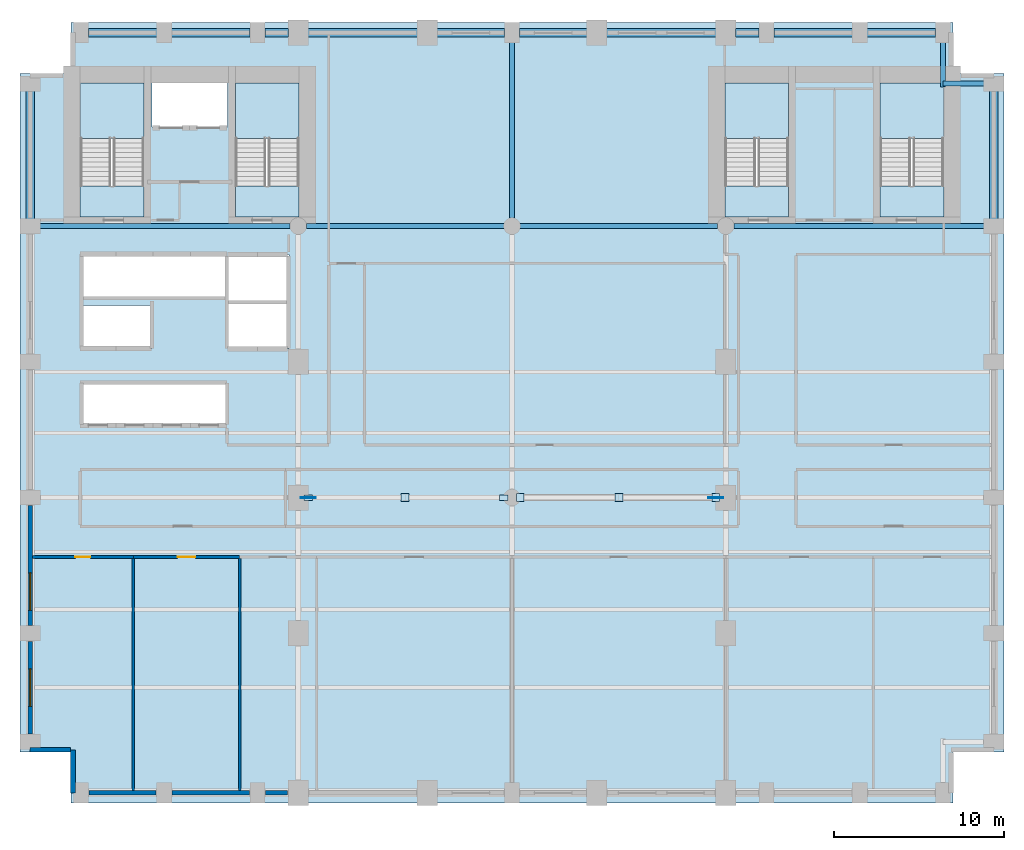
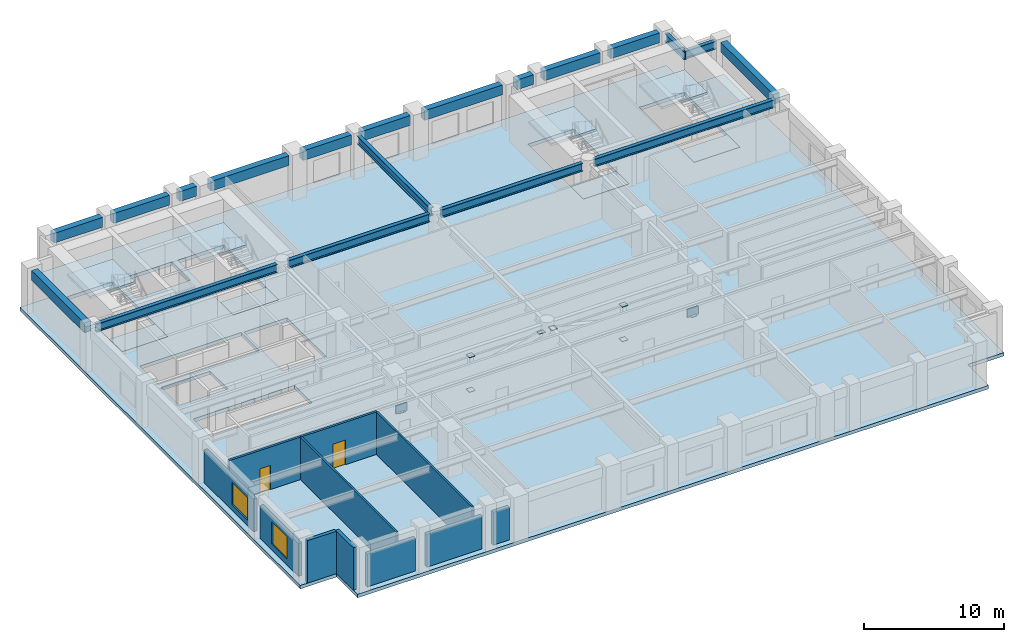
# One storey, part 4 of 10: 19 beams, 11 walls, 10 plates, 9 slabs, 2 doors, 2 windows, 4 openings, 4 elements without a shape of their own.
"""IFC4 building model written with IfcOpenShell, lengths in metres."""

from ifc_helpers import new_model, si_unit, direction, frame, frame_2d, origin, origin_2d, place, context, subcontext, project, spatial, polyline, rectangle, i_section, outline, extrude, material, layer, layer_set, material_profile, profile_set, type_object, element, fill, aggregate, save


model = new_model("IFC4")

# Units and contexts
model_context = context("Model", 3, precision=1e-05, world=origin(), true_north=direction((0.0, 1.0)))
body_context = subcontext(model_context, "Body", "Model", "MODEL_VIEW")
ifc_project = project(units=[si_unit("LENGTHUNIT", "METRE"), si_unit("AREAUNIT", "SQUARE_METRE"), si_unit("VOLUMEUNIT", "CUBIC_METRE"), si_unit("PLANEANGLEUNIT", "RADIAN"), si_unit("MASSUNIT", "GRAM", prefix="KILO")], contexts=[model_context])

# Site, building, storey
site_placement = place(None, origin())
site = spatial("IfcSite", under=ifc_project, at=site_placement, CompositionType="ELEMENT")
building_placement = place(site_placement, origin())
building = spatial("IfcBuilding", under=site, at=building_placement, Name="Sulina Concourse Tower", CompositionType="ELEMENT")
storey_placement = place(building_placement, frame((0.0, 0.0, 50.60009765625)))
storey = spatial("IfcBuildingStorey", under=building, at=storey_placement, Name="L12", CompositionType="ELEMENT", Elevation=50.60009765625)

# Beams
ifc_material_1 = material(Name="Steel S355", Category="steel")
ifc_material_profile_1 = material_profile(ifc_material_1, i_section(OverallWidth=0.300048828125, OverallDepth=0.699951171875, WebThickness=0.01708984375, FlangeThickness=0.031982421875, at=origin_2d()), Name="HE 700 B")
ifc_profile_set_1 = profile_set([ifc_material_profile_1], Name="Steel S355")
beam_type_1 = type_object("IfcBeamType", Name="Floor Primary Girder Zone 1 HE700B", PredefinedType="BEAM", material=ifc_profile_set_1)
beam_1_placement = place(storey_placement, frame((54.39990234375, 42.39990234375, 3.349853515625), z_axis=(1.0, 0.0, 0.0), x_axis=(0.0, 1.0, 0.0)))
element("IfcBeam", 1, at=beam_1_placement, inside=storey, type_object=beam_type_1, Name="TIE-NE-L12", PredefinedType="BEAM", context=body_context, shape_type="SweptSolid", body=[
    extrude(i_section(OverallWidth=0.300048828125, OverallDepth=0.699951171875, WebThickness=0.01708984375, FlangeThickness=0.031982421875, at=origin_2d()), origin(), (0.0, 0.0, 1.0), 2.570068359375),
])
beam_2_placement = place(storey_placement, frame((54.39990234375, 42.199951171875, 3.349853515625), z_axis=(0.0, 1.0, 0.0), x_axis=(-1.0, 0.0, 0.0)))
element("IfcBeam", 2, at=beam_2_placement, inside=storey, type_object=beam_type_1, Name="TIE-NEN-L12", PredefinedType="BEAM", context=body_context, shape_type="SweptSolid", body=[
    extrude(i_section(OverallWidth=0.300048828125, OverallDepth=0.699951171875, WebThickness=0.01708984375, FlangeThickness=0.031982421875, at=origin_2d()), origin(), (0.0, 0.0, 1.0), 2.77001953125),
])
beam_3_placement = place(storey_placement, frame((1.030029296875, 34.0, 3.349853515625), z_axis=(1.0, 0.0, 0.0), x_axis=(0.0, 1.0, 0.0)))
element("IfcBeam", 3, at=beam_3_placement, inside=storey, type_object=beam_type_1, Name="FG-EWN1-L12", PredefinedType="BEAM", context=body_context, shape_type="SweptSolid", body=[
    extrude(i_section(OverallWidth=0.300048828125, OverallDepth=0.699951171875, WebThickness=0.01708984375, FlangeThickness=0.031982421875, at=origin_2d()), origin(), (0.0, 0.0, 1.0), 14.889892578125),
])
for number, where, z_axis, x_axis, name in (
    (4, (16.8798828125, 34.0, 3.349853515625), (1.0, 0.0, 0.0), (0.0, 1.0, 0.0), "FG-EWN2-L12"),
    (5, (29.47998046875, 34.0, 3.349853515625), (1.0, 0.0, 0.0), (0.0, 1.0, 0.0), "FG-EWN3-L12"),
):
    element("IfcBeam", number, at=place(storey_placement, frame(where, z_axis=z_axis, x_axis=x_axis)), inside=storey, type_object=beam_type_1, Name=name, PredefinedType="BEAM", context=body_context, shape_type="SweptSolid", body=[
        extrude(i_section(OverallWidth=0.300048828125, OverallDepth=0.699951171875, WebThickness=0.01708984375, FlangeThickness=0.031982421875, at=origin_2d()), origin(), (0.0, 0.0, 1.0), 11.64013671875),
    ])
beam_4_placement = place(storey_placement, frame((42.080078125, 34.0, 3.349853515625), z_axis=(1.0, 0.0, 0.0), x_axis=(0.0, 1.0, 0.0)))
element("IfcBeam", 6, at=beam_4_placement, inside=storey, type_object=beam_type_1, Name="FG-EWN4-L12", PredefinedType="BEAM", context=body_context, shape_type="SweptSolid", body=[
    extrude(i_section(OverallWidth=0.300048828125, OverallDepth=0.699951171875, WebThickness=0.01708984375, FlangeThickness=0.031982421875, at=origin_2d()), origin(), (0.0, 0.0, 1.0), 14.889892578125),
])
beam_5_placement = place(storey_placement, frame((29.0, 34.47998046875, 3.349853515625), z_axis=(0.0, 1.0, 0.0), x_axis=(-1.0, 0.0, 0.0)))
element("IfcBeam", 7, at=beam_5_placement, inside=storey, type_object=beam_type_1, Name="FG-NSC-29-L12", PredefinedType="BEAM", context=body_context, shape_type="SweptSolid", body=[
    extrude(i_section(OverallWidth=0.300048828125, OverallDepth=0.699951171875, WebThickness=0.01708984375, FlangeThickness=0.031982421875, at=origin_2d()), origin(), (0.0, 0.0, 1.0), 10.489990234375),
])
ifc_material_2 = material(Name="Precast concrete C50/60", Category="concrete")
ifc_material_profile_2 = material_profile(ifc_material_2, rectangle(XDim=0.5, YDim=0.85009765625, at=origin_2d()), Name="RC 500x850")
ifc_profile_set_2 = profile_set([ifc_material_profile_2], Name="Precast concrete C50/60")
beam_type_2 = type_object("IfcBeamType", Name="Lower Precast Spandrel Edge Beam 500x850", PredefinedType="BEAM", material=ifc_profile_set_2)
beam_6_placement = place(storey_placement, frame((4.030029296875, 45.39990234375, 3.27490234375), z_axis=(1.0, 0.0, 0.0), x_axis=(0.0, 1.0, 0.0)))
element("IfcBeam", 8, at=beam_6_placement, inside=storey, type_object=beam_type_2, Name="SP-N1-L12", PredefinedType="BEAM", context=body_context, shape_type="SweptSolid", body=[
    extrude(rectangle(XDim=0.5, YDim=0.85009765625, at=origin_2d()), origin(), (0.0, 0.0, 1.0), 4.0400390625),
])
beam_7_placement = place(storey_placement, frame((8.929931640625, 45.39990234375, 3.27490234375), z_axis=(1.0, 0.0, 0.0), x_axis=(0.0, 1.0, 0.0)))
element("IfcBeam", 9, at=beam_7_placement, inside=storey, type_object=beam_type_2, Name="SP-N2-L12", PredefinedType="BEAM", context=body_context, shape_type="SweptSolid", body=[
    extrude(rectangle(XDim=0.5, YDim=0.85009765625, at=origin_2d()), origin(), (0.0, 0.0, 1.0), 4.64013671875),
])
beam_8_placement = place(storey_placement, frame((14.429931640625, 45.39990234375, 3.27490234375), z_axis=(1.0, 0.0, 0.0), x_axis=(0.0, 1.0, 0.0)))
element("IfcBeam", 10, at=beam_8_placement, inside=storey, type_object=beam_type_2, Name="SP-N3-L12", PredefinedType="BEAM", context=body_context, shape_type="SweptSolid", body=[
    extrude(rectangle(XDim=0.5, YDim=0.85009765625, at=origin_2d()), origin(), (0.0, 0.0, 1.0), 1.39013671875),
])
beam_9_placement = place(storey_placement, frame((16.97998046875, 45.39990234375, 3.27490234375), z_axis=(1.0, 0.0, 0.0), x_axis=(0.0, 1.0, 0.0)))
element("IfcBeam", 11, at=beam_9_placement, inside=storey, type_object=beam_type_2, Name="SP-N4-L12", PredefinedType="BEAM", context=body_context, shape_type="SweptSolid", body=[
    extrude(rectangle(XDim=0.5, YDim=0.85009765625, at=origin_2d()), origin(), (0.0, 0.0, 1.0), 6.43994140625),
])
for number, where, z_axis, x_axis, name in (
    (12, (24.580078125, 45.39990234375, 3.27490234375), (1.0, 0.0, 0.0), (0.0, 1.0, 0.0), "SP-N5-L12"),
    (13, (29.429931640625, 45.39990234375, 3.27490234375), (1.0, 0.0, 0.0), (0.0, 1.0, 0.0), "SP-N6-L12"),
):
    element("IfcBeam", number, at=place(storey_placement, frame(where, z_axis=z_axis, x_axis=x_axis)), inside=storey, type_object=beam_type_2, Name=name, PredefinedType="BEAM", context=body_context, shape_type="SweptSolid", body=[
        extrude(rectangle(XDim=0.5, YDim=0.85009765625, at=origin_2d()), origin(), (0.0, 0.0, 1.0), 3.989990234375),
    ])
beam_10_placement = place(storey_placement, frame((34.580078125, 45.39990234375, 3.27490234375), z_axis=(1.0, 0.0, 0.0), x_axis=(0.0, 1.0, 0.0)))
element("IfcBeam", 14, at=beam_10_placement, inside=storey, type_object=beam_type_2, Name="SP-N7-L12", PredefinedType="BEAM", context=body_context, shape_type="SweptSolid", body=[
    extrude(rectangle(XDim=0.5, YDim=0.85009765625, at=origin_2d()), origin(), (0.0, 0.0, 1.0), 6.43994140625),
])
beam_11_placement = place(storey_placement, frame((42.179931640625, 45.39990234375, 3.27490234375), z_axis=(1.0, 0.0, 0.0), x_axis=(0.0, 1.0, 0.0)))
element("IfcBeam", 15, at=beam_11_placement, inside=storey, type_object=beam_type_2, Name="SP-N8-L12", PredefinedType="BEAM", context=body_context, shape_type="SweptSolid", body=[
    extrude(rectangle(XDim=0.5, YDim=0.85009765625, at=origin_2d()), origin(), (0.0, 0.0, 1.0), 1.39013671875),
])
beam_12_placement = place(storey_placement, frame((44.429931640625, 45.39990234375, 3.27490234375), z_axis=(1.0, 0.0, 0.0), x_axis=(0.0, 1.0, 0.0)))
element("IfcBeam", 16, at=beam_12_placement, inside=storey, type_object=beam_type_2, Name="SP-N9-L12", PredefinedType="BEAM", context=body_context, shape_type="SweptSolid", body=[
    extrude(rectangle(XDim=0.5, YDim=0.85009765625, at=origin_2d()), origin(), (0.0, 0.0, 1.0), 4.64013671875),
])
beam_13_placement = place(storey_placement, frame((49.929931640625, 45.39990234375, 3.27490234375), z_axis=(1.0, 0.0, 0.0), x_axis=(0.0, 1.0, 0.0)))
element("IfcBeam", 17, at=beam_13_placement, inside=storey, type_object=beam_type_2, Name="SP-N10-L12", PredefinedType="BEAM", context=body_context, shape_type="SweptSolid", body=[
    extrude(rectangle(XDim=0.5, YDim=0.85009765625, at=origin_2d()), origin(), (0.0, 0.0, 1.0), 4.0400390625),
])
for number, where, z_axis, x_axis, name in (
    (18, (0.60009765625, 34.429931640625, 3.27490234375), (0.0, 1.0, 0.0), (-1.0, 0.0, 0.0), "SP-W5-L12"),
    (19, (57.39990234375, 34.429931640625, 3.27490234375), (0.0, 1.0, 0.0), (-1.0, 0.0, 0.0), "SP-E5-L12"),
):
    element("IfcBeam", number, at=place(storey_placement, frame(where, z_axis=z_axis, x_axis=x_axis)), inside=storey, type_object=beam_type_2, Name=name, PredefinedType="BEAM", context=body_context, shape_type="SweptSolid", body=[
        extrude(rectangle(XDim=0.5, YDim=0.85009765625, at=origin_2d()), origin(), (0.0, 0.0, 1.0), 7.5400390625),
    ])

# Plates
ifc_material_3 = material(Name="Steel S355", Category="steel")
ifc_layer_1 = layer(ifc_material_3, 0.050048828125)
ifc_layer_set_1 = layer_set([ifc_layer_1], Name="Steel S355")
plate_type_1 = type_object("IfcPlateType", Name="Bridge Truss Node Gusset Plate 50mm", PredefinedType="USERDEFINED", material=ifc_layer_set_1)
for number, where, z_axis, x_axis, name in (
    (20, (16.989990234375, 18.0, 0.06982421875), (0.0, 0.0, 1.0), (1.0, 0.0, 0.0), "LBT-DG-1-L12 node gusset plate"),
    (21, (41.010009765625, 18.0, 0.06982421875), (0.0, 0.0, 1.0), (1.0, 0.0, 0.0), "LBT-DG-2-L12 node gusset plate"),
):
    element("IfcPlate", number, at=place(storey_placement, frame(where, z_axis=z_axis, x_axis=x_axis)), inside=storey, type_object=plate_type_1, Name=name, ObjectType="GUSSET_PLATE", PredefinedType="USERDEFINED", context=body_context, shape_type="SweptSolid", body=[
        extrude(rectangle(XDim=0.89990234375, YDim=0.050048828125, at=origin_2d()), origin(), (0.0, 0.0, 1.0), 0.699951171875),
    ])
ifc_material_4 = material(Name="Steel S355", Category="steel")
ifc_layer_2 = layer(ifc_material_4, 0.035888671875)
ifc_layer_set_2 = layer_set([ifc_layer_2], Name="Steel S355")
plate_type_2 = type_object("IfcPlateType", Name="Heavy RHS500 End-Cap Plate 36mm", PredefinedType="USERDEFINED", material=ifc_layer_set_2)
for number, where, z_axis, x_axis, name in (
    (22, (16.989990234375, 18.0, 0.10205078125), (0.0, 0.0, 1.0), (1.0, 0.0, 0.0), "LBT-DG-1-L12 end cap plate 1"),
    (23, (28.510009765625, 18.0, 2.9921875), (0.0, 0.0, 1.0), (1.0, 0.0, 0.0), "LBT-DG-1-L12 end cap plate 2"),
):
    element("IfcPlate", number, at=place(storey_placement, frame(where, z_axis=z_axis, x_axis=x_axis)), inside=storey, type_object=plate_type_2, Name=name, ObjectType="CAP_PLATE", PredefinedType="USERDEFINED", context=body_context, shape_type="SweptSolid", body=[
        extrude(rectangle(XDim=0.52001953125, YDim=0.320068359375, at=origin_2d()), origin(), (0.0, 0.0, 1.0), 0.035888671875),
    ])

# Slab
ifc_material_5 = material(Name="Concrete C50/60", Category="concrete")
ifc_layer_3 = layer(ifc_material_5, 0.300048828125)
ifc_layer_set_3 = layer_set([ifc_layer_3], Name="Concrete C50/60")
slab_type_1 = type_object("IfcSlabType", Name="Low-Rise Composite Floor Slab 300mm", PredefinedType="FLOOR", material=ifc_layer_set_3)
slab_1_placement = place(storey_placement, frame((0.0, 0.0, -0.300048828125)))
element("IfcSlab", 24, at=slab_1_placement, inside=storey, type_object=slab_type_1, Name="L12 structural floor slab", PredefinedType="FLOOR", context=body_context, shape_type="SweptSolid", body=[
    extrude(outline(polyline([(3.0, 0.0), (55.0, 0.0), (55.0, 3.0), (58.0, 3.0), (58.0, 43.0), (55.0, 43.0), (55.0, 46.0), (3.0, 46.0), (3.0, 43.0), (0.0, 43.0), (0.0, 3.0), (3.0, 3.0), (3.0, 0.0)]), holes=[polyline([(7.31005859375, 34.550048828125), (7.31005859375, 42.429931640625), (3.550048828125, 42.429931640625), (3.550048828125, 34.550048828125), (7.31005859375, 34.550048828125)]), polyline([(16.449951171875, 34.550048828125), (16.449951171875, 42.429931640625), (12.68994140625, 42.429931640625), (12.68994140625, 34.550048828125), (16.449951171875, 34.550048828125)]), polyline([(45.31005859375, 34.550048828125), (45.31005859375, 42.429931640625), (41.550048828125, 42.429931640625), (41.550048828125, 34.550048828125), (45.31005859375, 34.550048828125)]), polyline([(54.449951171875, 34.550048828125), (54.449951171875, 42.429931640625), (50.68994140625, 42.429931640625), (50.68994140625, 34.550048828125), (54.449951171875, 34.550048828125)]), polyline([(7.780029296875, 39.830078125), (12.219970703125, 39.830078125), (12.219970703125, 42.449951171875), (7.780029296875, 42.449951171875), (7.780029296875, 39.830078125)]), polyline([(3.739990234375, 26.780029296875), (7.77001953125, 26.780029296875), (7.77001953125, 29.320068359375), (3.739990234375, 29.320068359375), (3.739990234375, 26.780029296875)]), polyline([(3.739990234375, 29.780029296875), (12.10009765625, 29.780029296875), (12.10009765625, 32.3701171875), (3.739990234375, 32.3701171875), (3.739990234375, 29.780029296875)]), polyline([(3.739990234375, 22.280029296875), (12.10009765625, 22.280029296875), (12.10009765625, 24.77001953125), (3.739990234375, 24.77001953125), (3.739990234375, 22.280029296875)]), polyline([(12.280029296875, 26.780029296875), (15.85009765625, 26.780029296875), (15.85009765625, 32.320068359375), (12.280029296875, 32.320068359375), (12.280029296875, 26.780029296875)])]), origin(), (0.0, 0.0, 1.0), 0.300048828125),
])

# Plates
ifc_material_6 = material(Name="Steel S355", Category="steel")
ifc_layer_4 = layer(ifc_material_6, 0.028076171875)
ifc_layer_set_4 = layer_set([ifc_layer_4], Name="Steel S355")
plate_type_3 = type_object("IfcPlateType", Name="Medium Hollow Section End-Cap Plate 28mm", PredefinedType="USERDEFINED", material=ifc_layer_set_4)
for number, where, z_axis, x_axis, name in (
    (25, (22.699951171875, 18.0, -0.00927734375), (0.0, 0.0, 1.0), (1.0, 0.0, 0.0), "LBT-VP-1-L12 end cap plate 1"),
    (26, (22.699951171875, 18.0, 2.99609375), (0.0, 0.0, 1.0), (1.0, 0.0, 0.0), "LBT-VP-1-L12 end cap plate 2"),
    (27, (41.010009765625, 18.0, 0.10595703125), (0.0, 0.0, 1.0), (1.0, 0.0, 0.0), "LBT-DG-2-L12 end cap plate 1"),
    (28, (29.489990234375, 18.0, 2.99609375), (0.0, 0.0, 1.0), (1.0, 0.0, 0.0), "LBT-DG-2-L12 end cap plate 2"),
    (29, (35.300048828125, 18.0, -0.00927734375), (0.0, 0.0, 1.0), (1.0, 0.0, 0.0), "LBT-VP-2-L12 end cap plate 1"),
    (30, (35.300048828125, 18.0, 2.99609375), (0.0, 0.0, 1.0), (1.0, 0.0, 0.0), "LBT-VP-2-L12 end cap plate 2"),
):
    element("IfcPlate", number, at=place(storey_placement, frame(where, z_axis=z_axis, x_axis=x_axis)), inside=storey, type_object=plate_type_3, Name=name, ObjectType="CAP_PLATE", PredefinedType="USERDEFINED", context=body_context, shape_type="SweptSolid", body=[
        extrude(rectangle(XDim=0.4599609375, YDim=0.4599609375, at=origin_2d()), origin(), (0.0, 0.0, 1.0), 0.028076171875),
    ])

# Slabs
ifc_material_7 = material(Name="Concrete C50/60", Category="concrete")
ifc_layer_5 = layer(ifc_material_7, 0.199951171875)
ifc_layer_set_5 = layer_set([ifc_layer_5], Name="Concrete C50/60")
slab_type_2 = type_object("IfcSlabType", Name="Primary Core Stair Landing Slab 200mm", PredefinedType="LANDING", material=ifc_layer_set_5)
slab_2_placement = place(storey_placement, frame((0.0, 0.0, -0.2001953125)))
element("IfcSlab", 31, at=slab_2_placement, inside=storey, type_object=slab_type_2, Name="L12 ST-1 floor landing slab", PredefinedType="LANDING", context=body_context, shape_type="SweptSolid", body=[
    extrude(outline(polyline([(7.31005859375, 34.550048828125), (7.31005859375, 36.375), (3.550048828125, 36.375), (3.550048828125, 34.550048828125), (7.31005859375, 34.550048828125)])), origin(), (0.0, 0.0, 1.0), 0.2001953125),
])
slab_3_placement = place(storey_placement, frame((0.0, 0.0, -0.2001953125)))
element("IfcSlab", 32, at=slab_3_placement, inside=storey, type_object=slab_type_2, Name="L12 ST-2 floor landing slab", PredefinedType="LANDING", context=body_context, shape_type="SweptSolid", body=[
    extrude(outline(polyline([(16.449951171875, 34.550048828125), (16.449951171875, 36.375), (12.68994140625, 36.375), (12.68994140625, 34.550048828125), (16.449951171875, 34.550048828125)])), origin(), (0.0, 0.0, 1.0), 0.2001953125),
])
slab_4_placement = place(storey_placement, frame((0.0, 0.0, -0.2001953125)))
element("IfcSlab", 33, at=slab_4_placement, inside=storey, type_object=slab_type_2, Name="L12 ST-3 floor landing slab", PredefinedType="LANDING", context=body_context, shape_type="SweptSolid", body=[
    extrude(outline(polyline([(45.31005859375, 34.550048828125), (45.31005859375, 36.375), (41.550048828125, 36.375), (41.550048828125, 34.550048828125), (45.31005859375, 34.550048828125)])), origin(), (0.0, 0.0, 1.0), 0.2001953125),
])
slab_5_placement = place(storey_placement, frame((0.0, 0.0, -0.2001953125)))
element("IfcSlab", 34, at=slab_5_placement, inside=storey, type_object=slab_type_2, Name="L12 ST-4 floor landing slab", PredefinedType="LANDING", context=body_context, shape_type="SweptSolid", body=[
    extrude(outline(polyline([(54.449951171875, 34.550048828125), (54.449951171875, 36.375), (50.68994140625, 36.375), (50.68994140625, 34.550048828125), (54.449951171875, 34.550048828125)])), origin(), (0.0, 0.0, 1.0), 0.2001953125),
])

# Stair, slab
ifc_material_8 = material(Name="Concrete C50/60", Category="concrete")
stair_type_1 = type_object("IfcStairType", Name="Primary Core Dog-Leg Exit Stair 1800mm", PredefinedType="HALF_TURN_STAIR", material=ifc_material_8)
stair_1_placement = place(storey_placement, origin())
stair_1 = element("IfcStair", 35, at=stair_1_placement, inside=storey, type_object=stair_type_1, Name="L12 ST-1", PredefinedType="HALF_TURN_STAIR")
slab_6_placement = place(storey_placement, frame((0.0, 0.0, 1.7998046875)))
slab_6 = element("IfcSlab", 36, at=slab_6_placement, type_object=slab_type_2, Name="ST-1 landing 1", PredefinedType="LANDING", context=body_context, shape_type="SweptSolid", body=[
    extrude(outline(polyline([(7.304931640625, 39.175048828125), (7.304931640625, 42.425048828125), (3.554931640625, 42.425048828125), (3.554931640625, 39.175048828125), (7.304931640625, 39.175048828125)])), origin(), (0.0, 0.0, 1.0), 0.2001953125),
])
aggregate(stair_1, [slab_6])

stair_2_placement = place(storey_placement, origin())
stair_2 = element("IfcStair", 37, at=stair_2_placement, inside=storey, type_object=stair_type_1, Name="L12 ST-2", PredefinedType="HALF_TURN_STAIR")
slab_7_placement = place(storey_placement, frame((0.0, 0.0, 1.7998046875)))
slab_7 = element("IfcSlab", 38, at=slab_7_placement, type_object=slab_type_2, Name="ST-2 landing 1", PredefinedType="LANDING", context=body_context, shape_type="SweptSolid", body=[
    extrude(outline(polyline([(16.445068359375, 39.175048828125), (16.445068359375, 42.425048828125), (12.695068359375, 42.425048828125), (12.695068359375, 39.175048828125), (16.445068359375, 39.175048828125)])), origin(), (0.0, 0.0, 1.0), 0.2001953125),
])
aggregate(stair_2, [slab_7])

ifc_material_9 = material(Name="Concrete C50/60", Category="concrete")
stair_type_2 = type_object("IfcStairType", Name="Portal & Podium Core Exit Stair 1820mm", PredefinedType="HALF_TURN_STAIR", material=ifc_material_9)
stair_3_placement = place(storey_placement, origin())
stair_3 = element("IfcStair", 39, at=stair_3_placement, inside=storey, type_object=stair_type_2, Name="L12 ST-3", PredefinedType="HALF_TURN_STAIR")
slab_8_placement = place(storey_placement, frame((0.0, 0.0, 1.7998046875)))
slab_8 = element("IfcSlab", 40, at=slab_8_placement, type_object=slab_type_2, Name="ST-3 landing 1", PredefinedType="LANDING", context=body_context, shape_type="SweptSolid", body=[
    extrude(outline(polyline([(45.304931640625, 39.175048828125), (45.304931640625, 42.425048828125), (41.554931640625, 42.425048828125), (41.554931640625, 39.175048828125), (45.304931640625, 39.175048828125)])), origin(), (0.0, 0.0, 1.0), 0.2001953125),
])
aggregate(stair_3, [slab_8])

stair_4_placement = place(storey_placement, origin())
stair_4 = element("IfcStair", 41, at=stair_4_placement, inside=storey, type_object=stair_type_2, Name="L12 ST-4", PredefinedType="HALF_TURN_STAIR")
slab_9_placement = place(storey_placement, frame((0.0, 0.0, 1.7998046875)))
slab_9 = element("IfcSlab", 42, at=slab_9_placement, type_object=slab_type_2, Name="ST-4 landing 1", PredefinedType="LANDING", context=body_context, shape_type="SweptSolid", body=[
    extrude(outline(polyline([(54.445068359375, 39.175048828125), (54.445068359375, 42.425048828125), (50.695068359375, 42.425048828125), (50.695068359375, 39.175048828125), (54.445068359375, 39.175048828125)])), origin(), (0.0, 0.0, 1.0), 0.2001953125),
])
aggregate(stair_4, [slab_9])

# Walls
ifc_material_10 = material(Name="Gypsum board on steel stud", Category="steel")
ifc_layer_6 = layer(ifc_material_10, 0.14990234375)
ifc_layer_set_6 = layer_set([ifc_layer_6], Name="Gypsum board on steel stud")
wall_type_1 = type_object("IfcWallType", Name="Inter-Tenancy Acoustic Partition 150mm", PredefinedType="PARTITIONING", material=ifc_layer_set_6)
for number, where, z_axis, x_axis, name in (
    (43, (6.679931640625, 0.739990234375, 0.0), (0.0, 0.0, 1.0), (0.0, 1.0, 0.0), "L12 interior partition 028"),
    (44, (12.93994140625, 0.739990234375, 0.0), (0.0, 0.0, 1.0), (0.0, 1.0, 0.0), "L12 interior partition 031"),
):
    element("IfcWall", number, at=place(storey_placement, frame(where, z_axis=z_axis, x_axis=x_axis)), inside=storey, type_object=wall_type_1, Name=name, PredefinedType="PARTITIONING", context=body_context, shape_type="SweptSolid", body=[
        extrude(rectangle(XDim=13.669921875, YDim=0.14990234375, at=frame_2d((6.8349609375, 0.0))), origin(), (0.0, 0.0, 1.0), 3.699951171875),
    ])

# Wall, opening, door
ifc_material_11 = material(Name="Gypsum board on steel stud", Category="steel")
ifc_layer_7 = layer(ifc_material_11, 0.179931640625)
ifc_layer_set_7 = layer_set([ifc_layer_7], Name="Gypsum board on steel stud")
wall_type_2 = type_object("IfcWallType", Name="Protected Corridor & Riser Partition 180mm", PredefinedType="PARTITIONING", material=ifc_layer_set_7)
wall_1_placement = place(storey_placement, frame((0.739990234375, 14.5, 0.0), z_axis=(0.0, 0.0, 1.0), x_axis=(1.0, 0.0, 0.0)))
wall_1 = element("IfcWall", 45, at=wall_1_placement, inside=storey, type_object=wall_type_2, Name="L12 interior partition 001", PredefinedType="PARTITIONING", context=body_context, shape_type="SweptSolid", body=[
    extrude(rectangle(XDim=5.93994140625, YDim=0.179931640625, at=frame_2d((2.969970703125, 0.0))), origin(), (0.0, 0.0, 1.0), 3.699951171875),
])
opening_1_placement = place(wall_1_placement, frame((2.530029296875, 0.0, 0.0)))
opening_1 = element("IfcOpeningElement", 46, at=opening_1_placement, cuts=wall_1, Name="Opening DR-38", PredefinedType="OPENING", context=body_context, shape_type="SweptSolid", body=[
    extrude(rectangle(XDim=0.8798828125, YDim=2.10009765625, at=frame_2d((0.43994140625, 1.050048828125))), frame((0.0, 0.099853515625, 0.0), z_axis=(0.0, -1.0, 0.0), x_axis=(1.0, 0.0, 0.0)), (0.0, 0.0, 1.0), 0.199951171875),
])
ifc_material_12 = material(Name="Galvanised steel acoustic fire leaf", Category="steel")
ifc_layer_8 = layer(ifc_material_12, 0.050048828125)
ifc_layer_set_8 = layer_set([ifc_layer_8], Name="Galvanised steel acoustic fire leaf")
door_type_1 = type_object("IfcDoorType", Name="Service Riser Fire Door 880x2100", OperationType="NOTDEFINED", PredefinedType="DOOR", material=ifc_layer_set_8)
door_1_placement = place(opening_1_placement, origin())
door_1 = element("IfcDoor", 47, at=door_1_placement, inside=storey, type_object=door_type_1, Name="L12 interior door L12-S01", OperationType="SINGLE_SWING_RIGHT", OverallHeight=2.10009765625, OverallWidth=0.8798828125, PredefinedType="DOOR", context=body_context, shape_type="SweptSolid", body=[
    extrude(rectangle(XDim=0.8798828125, YDim=2.10009765625, at=frame_2d((0.43994140625, 1.050048828125))), frame((0.0, 0.02490234375, 0.0), z_axis=(0.0, -1.0, 0.0), x_axis=(1.0, 0.0, 0.0)), (0.0, 0.0, 1.0), 0.050048828125),
])
fill(opening_1, door_1)

wall_2_placement = place(storey_placement, frame((6.679931640625, 14.5, 0.0), z_axis=(0.0, 0.0, 1.0), x_axis=(1.0, 0.0, 0.0)))
wall_2 = element("IfcWall", 48, at=wall_2_placement, inside=storey, type_object=wall_type_2, Name="L12 interior partition 002", PredefinedType="PARTITIONING", context=body_context, shape_type="SweptSolid", body=[
    extrude(rectangle(XDim=6.260009765625, YDim=0.179931640625, at=frame_2d((3.1298828125, 0.0))), origin(), (0.0, 0.0, 1.0), 3.699951171875),
])
opening_2_placement = place(wall_2_placement, frame((2.60498046875, 0.0, 0.0)))
opening_2 = element("IfcOpeningElement", 49, at=opening_2_placement, cuts=wall_2, Name="Opening DR-37", PredefinedType="OPENING", context=body_context, shape_type="SweptSolid", body=[
    extrude(rectangle(XDim=1.050048828125, YDim=2.14990234375, at=frame_2d((0.52490234375, 1.074951171875))), frame((0.0, 0.099853515625, 0.0), z_axis=(0.0, -1.0, 0.0), x_axis=(1.0, 0.0, 0.0)), (0.0, 0.0, 1.0), 0.199951171875),
])
ifc_material_13 = material(Name="Oak-veneered fire door leaf")
ifc_layer_9 = layer(ifc_material_13, 0.050048828125)
ifc_layer_set_9 = layer_set([ifc_layer_9], Name="Oak-veneered fire door leaf")
door_type_2 = type_object("IfcDoorType", Name="Tenant Suite Entrance Fire Door 1050x2150", OperationType="NOTDEFINED", PredefinedType="DOOR", material=ifc_layer_set_9)
door_2_placement = place(opening_2_placement, origin())
door_2 = element("IfcDoor", 50, at=door_2_placement, inside=storey, type_object=door_type_2, Name="L12 interior door L12-S02A", OperationType="SINGLE_SWING_LEFT", OverallHeight=2.14990234375, OverallWidth=1.050048828125, PredefinedType="DOOR", context=body_context, shape_type="SweptSolid", body=[
    extrude(rectangle(XDim=1.050048828125, YDim=2.14990234375, at=frame_2d((0.52490234375, 1.074951171875))), frame((0.0, 0.02490234375, 0.0), z_axis=(0.0, -1.0, 0.0), x_axis=(1.0, 0.0, 0.0)), (0.0, 0.0, 1.0), 0.050048828125),
])
fill(opening_2, door_2)

# Walls
ifc_material_14 = material(Name="Precast concrete C50/60", Category="concrete")
ifc_layer_10 = layer(ifc_material_14, 0.280029296875)
ifc_layer_set_10 = layer_set([ifc_layer_10], Name="Precast concrete C50/60")
wall_type_3 = type_object("IfcWallType", Name="Typical Precast Masonry-Frame Facade Wall 280mm", PredefinedType="SOLIDWALL", material=ifc_layer_set_10)
wall_3_placement = place(storey_placement, frame((8.030029296875, 0.60009765625, 0.0), z_axis=(0.0, 0.0, 1.0), x_axis=(-1.0, 0.0, 0.0)))
element("IfcWall", 51, at=wall_3_placement, inside=storey, type_object=wall_type_3, Name="L12 exterior precast wall S1", PredefinedType="SOLIDWALL", context=body_context, shape_type="SweptSolid", body=[
    extrude(rectangle(XDim=3.9599609375, YDim=0.280029296875, at=frame_2d((1.97998046875, 0.0))), origin(), (0.0, 0.0, 1.0), 2.849853515625),
])
wall_4_placement = place(storey_placement, frame((13.530029296875, 0.60009765625, 0.0), z_axis=(0.0, 0.0, 1.0), x_axis=(-1.0, 0.0, 0.0)))
element("IfcWall", 52, at=wall_4_placement, inside=storey, type_object=wall_type_3, Name="L12 exterior precast wall S2", PredefinedType="SOLIDWALL", context=body_context, shape_type="SweptSolid", body=[
    extrude(rectangle(XDim=4.56005859375, YDim=0.280029296875, at=frame_2d((2.280029296875, 0.0))), origin(), (0.0, 0.0, 1.0), 2.849853515625),
])
wall_5_placement = place(storey_placement, frame((15.780029296875, 0.60009765625, 0.0), z_axis=(0.0, 0.0, 1.0), x_axis=(-1.0, 0.0, 0.0)))
element("IfcWall", 53, at=wall_5_placement, inside=storey, type_object=wall_type_3, Name="L12 exterior precast wall S3", PredefinedType="SOLIDWALL", context=body_context, shape_type="SweptSolid", body=[
    extrude(rectangle(XDim=1.31005859375, YDim=0.280029296875, at=frame_2d((0.655029296875, 0.0))), origin(), (0.0, 0.0, 1.0), 2.849853515625),
])

# Wall, opening, window
wall_6_placement = place(storey_placement, frame((0.60009765625, 4.070068359375, 0.0), z_axis=(0.0, 0.0, 1.0), x_axis=(0.0, 1.0, 0.0)))
wall_6 = element("IfcWall", 54, at=wall_6_placement, inside=storey, type_object=wall_type_3, Name="L12 exterior precast wall W1", PredefinedType="SOLIDWALL", context=body_context, shape_type="SweptSolid", body=[
    extrude(rectangle(XDim=5.4599609375, YDim=0.280029296875, at=frame_2d((2.72998046875, 0.0))), origin(), (0.0, 0.0, 1.0), 2.849853515625),
])
opening_3_placement = place(wall_6_placement, frame((1.6298828125, 0.0, 0.5)))
opening_3 = element("IfcOpeningElement", 55, at=opening_3_placement, cuts=wall_6, Name="Opening WN-76", PredefinedType="OPENING", context=body_context, shape_type="SweptSolid", body=[
    extrude(rectangle(XDim=2.199951171875, YDim=1.949951171875, at=frame_2d((1.10009765625, 0.97509765625))), frame((0.0, 0.14990234375, 0.0), z_axis=(0.0, -1.0, 0.0), x_axis=(1.0, 0.0, 0.0)), (0.0, 0.0, 1.0), 0.300048828125),
])
ifc_material_15 = material(Name="Low-E solar double glazing in bronze aluminium", Category="aluminium")
window_type = type_object("IfcWindowType", Name="Recessed Spandrel Window 2200x1950", PartitioningType="DOUBLE_PANEL_VERTICAL", PredefinedType="WINDOW", material=ifc_material_15)
window_1_placement = place(opening_3_placement, origin())
window_1 = element("IfcWindow", 56, at=window_1_placement, inside=storey, type_object=window_type, Name="L12 punched window W1-1", OverallHeight=1.949951171875, OverallWidth=2.199951171875, PartitioningType="SINGLE_PANEL", PredefinedType="WINDOW", context=body_context, shape_type="SweptSolid", body=[
    extrude(rectangle(XDim=2.199951171875, YDim=1.949951171875, at=frame_2d((1.10009765625, 0.97509765625))), frame((0.0, 0.030029296875, 0.0), z_axis=(0.0, -1.0, 0.0), x_axis=(1.0, 0.0, 0.0)), (0.0, 0.0, 1.0), 0.06005859375),
])
fill(opening_3, window_1)

wall_7_placement = place(storey_placement, frame((0.60009765625, 10.469970703125, 0.0), z_axis=(0.0, 0.0, 1.0), x_axis=(0.0, 1.0, 0.0)))
wall_7 = element("IfcWall", 57, at=wall_7_placement, inside=storey, type_object=wall_type_3, Name="L12 exterior precast wall W2", PredefinedType="SOLIDWALL", context=body_context, shape_type="SweptSolid", body=[
    extrude(rectangle(XDim=7.06005859375, YDim=0.280029296875, at=frame_2d((3.530029296875, 0.0))), origin(), (0.0, 0.0, 1.0), 2.849853515625),
])
opening_4_placement = place(wall_7_placement, frame((0.88671875, 0.0, 0.5)))
opening_4 = element("IfcOpeningElement", 58, at=opening_4_placement, cuts=wall_7, Name="Opening WN-76", PredefinedType="OPENING", context=body_context, shape_type="SweptSolid", body=[
    extrude(rectangle(XDim=2.199951171875, YDim=1.949951171875, at=frame_2d((1.10009765625, 0.97509765625))), frame((0.0, 0.14990234375, 0.0), z_axis=(0.0, -1.0, 0.0), x_axis=(1.0, 0.0, 0.0)), (0.0, 0.0, 1.0), 0.300048828125),
])
window_2_placement = place(opening_4_placement, origin())
window_2 = element("IfcWindow", 59, at=window_2_placement, inside=storey, type_object=window_type, Name="L12 punched window W2-1", OverallHeight=1.949951171875, OverallWidth=2.199951171875, PartitioningType="SINGLE_PANEL", PredefinedType="WINDOW", context=body_context, shape_type="SweptSolid", body=[
    extrude(rectangle(XDim=2.199951171875, YDim=1.949951171875, at=frame_2d((1.10009765625, 0.97509765625))), frame((0.0, 0.030029296875, 0.0), z_axis=(0.0, -1.0, 0.0), x_axis=(1.0, 0.0, 0.0)), (0.0, 0.0, 1.0), 0.06005859375),
])
fill(opening_4, window_2)

# Walls
wall_8_placement = place(storey_placement, frame((3.1298828125, 0.60009765625, 0.0), z_axis=(0.0, 0.0, 1.0), x_axis=(0.0, 1.0, 0.0)))
element("IfcWall", 60, at=wall_8_placement, inside=storey, type_object=wall_type_3, Name="L12 exterior precast wall CSW1", PredefinedType="SOLIDWALL", context=body_context, shape_type="SweptSolid", body=[
    extrude(rectangle(XDim=2.52978515625, YDim=0.280029296875, at=frame_2d((1.264892578125, 0.0))), origin(), (0.0, 0.0, 1.0), 3.699951171875),
])
wall_9_placement = place(storey_placement, frame((2.985107421875, 3.1298828125, 0.0), z_axis=(0.0, 0.0, 1.0), x_axis=(-1.0, 0.0, 0.0)))
element("IfcWall", 61, at=wall_9_placement, inside=storey, type_object=wall_type_3, Name="L12 exterior precast wall CSW2", PredefinedType="SOLIDWALL", context=body_context, shape_type="SweptSolid", body=[
    extrude(rectangle(XDim=2.385009765625, YDim=0.280029296875, at=frame_2d((1.1923828125, 0.0))), origin(), (0.0, 0.0, 1.0), 3.699951171875),
])

save(model, "model.ifc")
